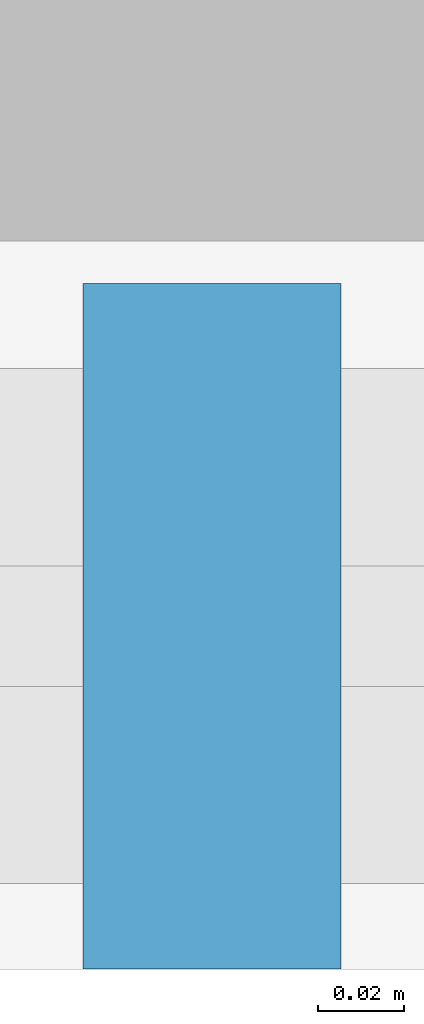
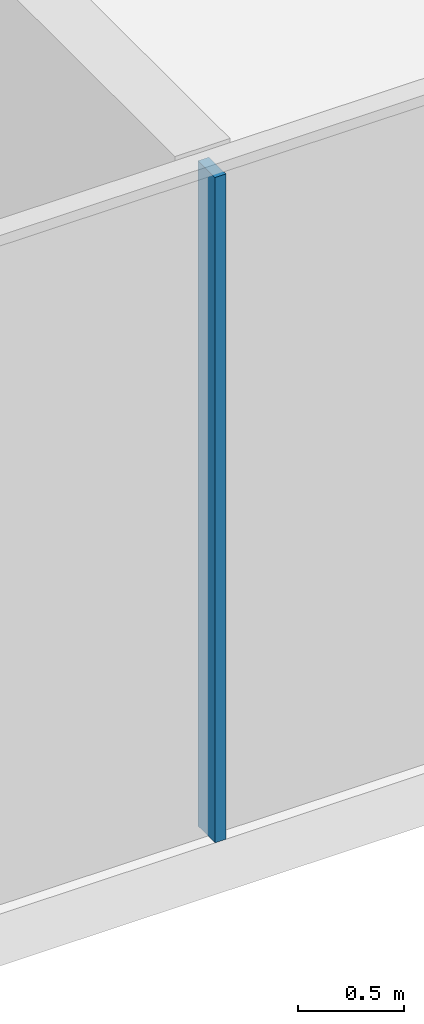
# One storey, part 8 of 25: 1 member, 1 element without a shape of its own.
"""IFC4 building model written with IfcOpenShell, lengths in metres."""

from ifc_helpers import new_model, si_unit, direction, frame, origin, origin_2d, place, context, subcontext, project, spatial, rectangle, extrude, material, material_profile, profile_set, type_object, element, aggregate, save


model = new_model("IFC4")

# Units and contexts
model_context = context("Model", 3, precision=1e-05, world=origin(), true_north=direction((0.0, 1.0)))
body_context = subcontext(model_context, "Body", "Model", "MODEL_VIEW")
ifc_project = project(units=[si_unit("LENGTHUNIT", "METRE"), si_unit("AREAUNIT", "SQUARE_METRE"), si_unit("VOLUMEUNIT", "CUBIC_METRE"), si_unit("PLANEANGLEUNIT", "RADIAN"), si_unit("MASSUNIT", "GRAM", prefix="KILO")], contexts=[model_context])

# Site, building, storey
site_placement = place(None, origin())
site = spatial("IfcSite", under=ifc_project, at=site_placement, CompositionType="ELEMENT")
building_placement = place(site_placement, origin())
building = spatial("IfcBuilding", under=site, at=building_placement, Name="Ogive Portal Towers", CompositionType="ELEMENT")
storey_placement = place(building_placement, frame((0.0, 0.0, 272.89990234375)))
storey = spatial("IfcBuildingStorey", under=building, at=storey_placement, Name="L66", CompositionType="ELEMENT", Elevation=272.89990234375)

# Curtain wall, member
ifc_material_1 = material(Name="Glass, clear low-iron insulated glazing", Category="glass")
curtain_wall_type = type_object("IfcCurtainWallType", Name="CW CROWN GLAZING", PredefinedType="NOTDEFINED", material=ifc_material_1)
curtain_wall_placement = place(storey_placement, origin())
curtain_wall = element("IfcCurtainWall", 1, at=curtain_wall_placement, inside=storey, type_object=curtain_wall_type, Name="A:L66:c06:cw", PredefinedType="NOTDEFINED")
ifc_material_2 = material(Name="Aluminium 6063 anodised", Category="aluminium")
ifc_material_profile = material_profile(ifc_material_2, rectangle(XDim=0.159912109375, YDim=0.06005859375, at=origin_2d()), Name="AL 60x160")
ifc_profile_set = profile_set([ifc_material_profile], Name="Aluminium 6063 anodised")
member_type = type_object("IfcMemberType", Name="CW MULLION 60x160", PredefinedType="MULLION", material=ifc_profile_set)
member_placement = place(storey_placement, frame((63.0, 20.080078125, 0.0), z_axis=(0.0, 0.0, 1.0), x_axis=(0.0, 1.0, 0.0)))
member = element("IfcMember", 2, at=member_placement, type_object=member_type, Name="mullion", PredefinedType="MULLION", context=body_context, shape_type="SweptSolid", body=[
    extrude(rectangle(XDim=0.159912109375, YDim=0.06005859375, at=origin_2d()), origin(), (0.0, 0.0, 1.0), 3.840087890625),
])
aggregate(curtain_wall, [member])

save(model, "model.ifc")
